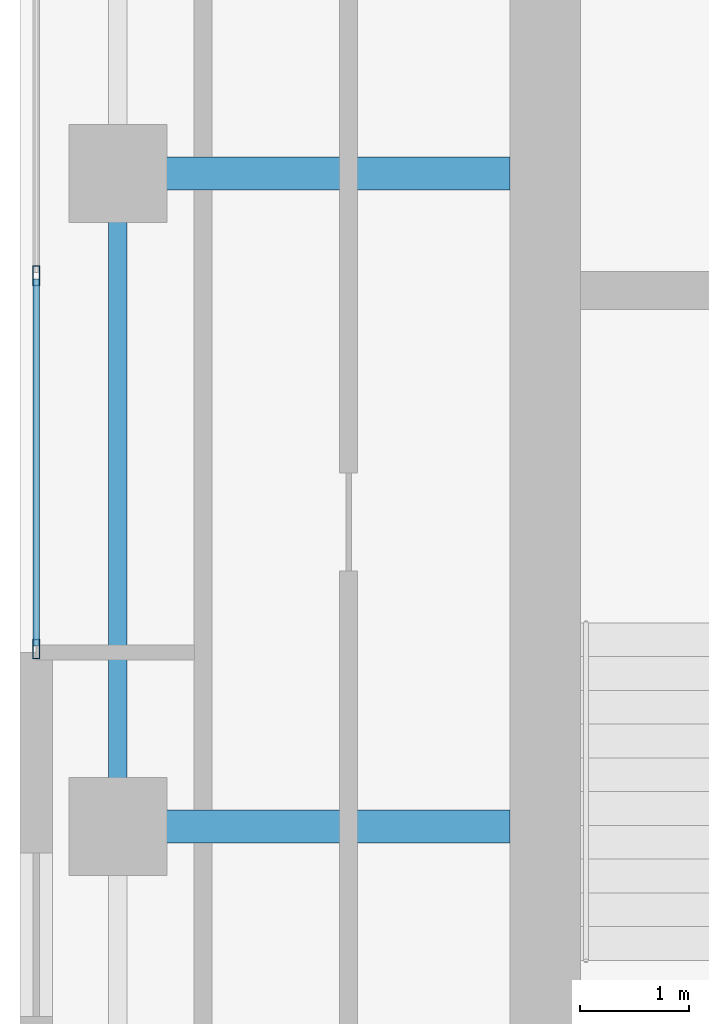
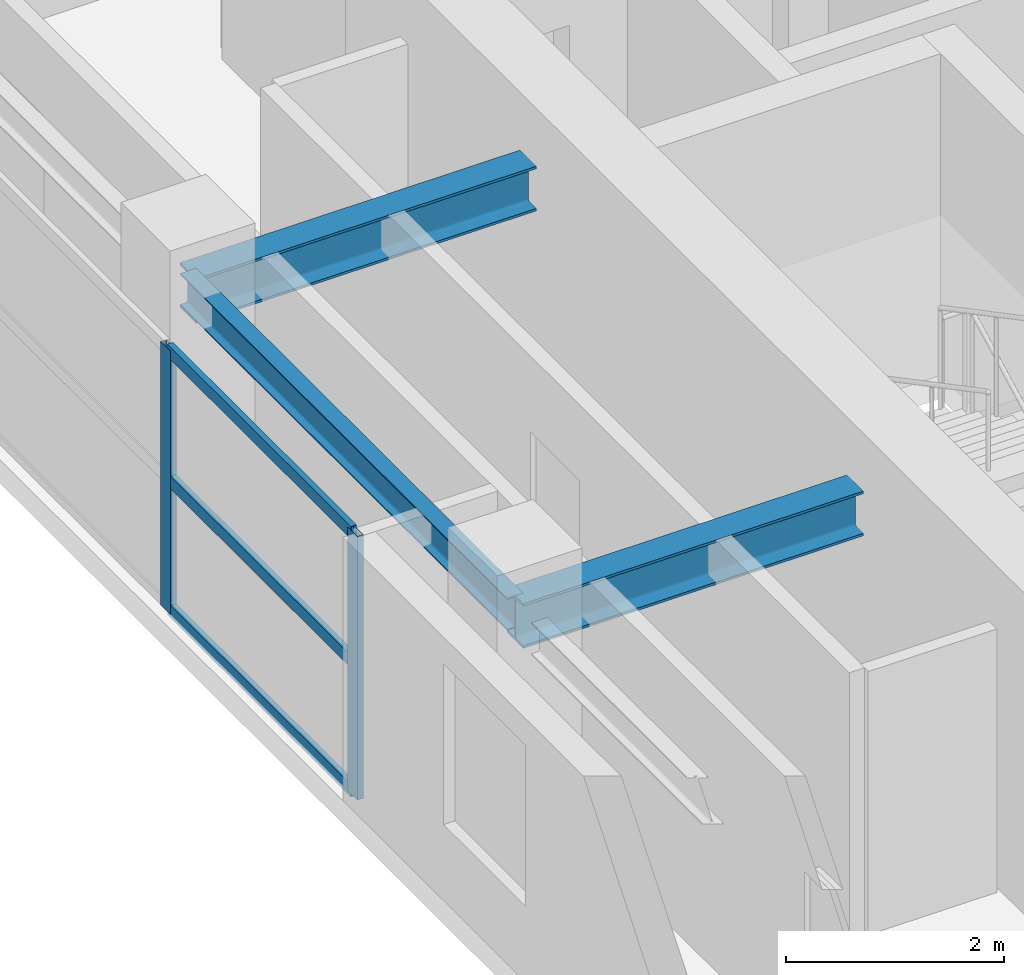
# One storey, part 6 of 21: 5 members, 3 beams, 1 element without a shape of its own.
"""IFC4 building model written with IfcOpenShell, lengths in metres."""

from ifc_helpers import new_model, si_unit, direction, frame, origin, origin_2d, place, context, subcontext, project, spatial, hollow_rectangle, i_section, extrude, source, transform, mapped, material, layer, layer_set, material_profile, profile_set, type_object, element, aggregate, save


model = new_model("IFC4")

# Units and contexts
model_context = context("Model", 3, precision=1e-05, world=origin(), true_north=direction((0.0, 1.0)))
body_context = subcontext(model_context, "Body", "Model", "MODEL_VIEW")
ifc_project = project(units=[si_unit("LENGTHUNIT", "METRE"), si_unit("AREAUNIT", "SQUARE_METRE"), si_unit("VOLUMEUNIT", "CUBIC_METRE"), si_unit("PLANEANGLEUNIT", "RADIAN"), si_unit("MASSUNIT", "GRAM", prefix="KILO")], contexts=[model_context])

# Site, building, storey
site_placement = place(None, origin())
site = spatial("IfcSite", under=ifc_project, at=site_placement, CompositionType="ELEMENT")
building_placement = place(site_placement, origin())
building = spatial("IfcBuilding", under=site, at=building_placement, Name="Khoralis Quay Care Tower", CompositionType="ELEMENT")
storey_placement = place(building_placement, frame((0.0, 0.0, 213.300048828125)))
storey = spatial("IfcBuildingStorey", under=building, at=storey_placement, Name="L56", CompositionType="ELEMENT", Elevation=213.300048828125)

# Beams
ifc_material_1 = material(Name="Steel S355", Category="steel")
ifc_material_profile_1 = material_profile(ifc_material_1, i_section(OverallWidth=0.169921875, OverallDepth=0.360107421875, WebThickness=0.008056640625, FlangeThickness=0.0126953125, FilletRadius=0.01806640625, at=origin_2d()), Name="Steel S355")
ifc_profile_set_1 = profile_set([ifc_material_profile_1], Name="Steel S355")
beam_type_1 = type_object("IfcBeamType", Name="BM-IPE360", PredefinedType="SPANDREL", material=ifc_profile_set_1)
shared_shape_1 = source(origin(), body_context, "Body", "SweptSolid", [
    extrude(i_section(OverallWidth=0.169921875, OverallDepth=0.360107421875, WebThickness=0.008056640625, FlangeThickness=0.0126953125, FilletRadius=0.01806640625, at=origin_2d()), origin(), (0.0, 0.0, 1.0), 6.0),
])
beam_placement = place(storey_placement, frame((3.89990234375, 18.0, 2.77001953125), z_axis=(0.0, 1.0, 0.0), x_axis=(-1.0, 0.0, 0.0)))
element("IfcBeam", 1, at=beam_placement, inside=storey, type_object=beam_type_1, Name="BM-TSP-L56-09", PredefinedType="SPANDREL", context=body_context, shape_type="MappedRepresentation", body=[
    mapped(shared_shape_1, transform((0.0, 0.0, 0.0), scale=1.0)),
])
ifc_material_profile_2 = material_profile(ifc_material_1, i_section(OverallWidth=0.300048828125, OverallDepth=0.5, WebThickness=0.014404296875, FlangeThickness=0.028076171875, FilletRadius=0.027099609375, at=origin_2d()), Name="Steel S355")
ifc_profile_set_2 = profile_set([ifc_material_profile_2], Name="Steel S355")
beam_type_2 = type_object("IfcBeamType", Name="BM-HEB500", PredefinedType="BEAM", material=ifc_profile_set_2)
shared_shape_2 = source(origin(), body_context, "Body", "SweptSolid", [
    extrude(i_section(OverallWidth=0.300048828125, OverallDepth=0.5, WebThickness=0.014404296875, FlangeThickness=0.028076171875, FilletRadius=0.027099609375, at=origin_2d()), origin(), (0.0, 0.0, 1.0), 3.60205078125),
])
for number, where, z_axis, x_axis, name in (
    (2, (3.89990234375, 18.0, 2.699951171875), (1.0, 0.0, 0.0), (0.0, 1.0, 0.0), "BM-TGXW-L56-180"),
    (3, (3.89990234375, 24.0, 2.699951171875), (1.0, 0.0, 0.0), (0.0, 1.0, 0.0), "BM-TGXW-L56-240"),
):
    element("IfcBeam", number, at=place(storey_placement, frame(where, z_axis=z_axis, x_axis=x_axis)), inside=storey, type_object=beam_type_2, Name=name, PredefinedType="BEAM", context=body_context, shape_type="MappedRepresentation", body=[
        mapped(shared_shape_2, transform((0.0, 0.0, 0.0), scale=1.0)),
    ])

# Curtain wall, members
ifc_material_2 = material(Name="Pale anodised aluminium", Category="aluminium")
ifc_layer = layer(ifc_material_2, 0.159912109375)
ifc_layer_set = layer_set([ifc_layer], Name="Pale anodised aluminium")
curtain_wall_type = type_object("IfcCurtainWallType", Name="CW-SYS-Z3", PredefinedType="NOTDEFINED", material=ifc_layer_set)
curtain_wall_placement = place(storey_placement, origin())
curtain_wall = element("IfcCurtainWall", 4, at=curtain_wall_placement, inside=storey, type_object=curtain_wall_type, Name="L56 Unitised Curtain Wall CW-L56-P1-E7", PredefinedType="NOTDEFINED")
ifc_material_profile_3 = material_profile(ifc_material_2, hollow_rectangle(XDim=0.06005859375, YDim=0.139892578125, WallThickness=0.00390625, at=origin_2d()), Name="Pale anodised aluminium")
ifc_profile_set_3 = profile_set([ifc_material_profile_3], Name="Pale anodised aluminium")
member_type_1 = type_object("IfcMemberType", Name="CW-TRN-140", PredefinedType="USERDEFINED", material=ifc_profile_set_3)
shared_shape_3 = source(origin(), body_context, "Body", "SweptSolid", [
    extrude(hollow_rectangle(XDim=0.06005859375, YDim=0.139892578125, WallThickness=0.00390625, at=origin_2d()), origin(), (0.0, 0.0, 1.0), 3.3701171875),
])
member_1_placement = place(storey_placement, frame((3.14990234375, 23.030029296875, 0.030029296875), z_axis=(0.0, -1.0, 0.0), x_axis=(1.0, 0.0, 0.0)))
member_1 = element("IfcMember", 5, at=member_1_placement, type_object=member_type_1, Name="CW3 transom 2.1", ObjectType="TRANSOM", PredefinedType="USERDEFINED", context=body_context, shape_type="MappedRepresentation", body=[
    mapped(shared_shape_3, transform((0.0, 0.0, 0.0), scale=1.0)),
])
member_2_placement = place(storey_placement, frame((3.14990234375, 23.030029296875, 1.474853515625), z_axis=(0.0, -1.0, 0.0), x_axis=(1.0, 0.0, 0.0)))
member_2 = element("IfcMember", 6, at=member_2_placement, type_object=member_type_1, Name="CW3 transom 2.2", ObjectType="TRANSOM", PredefinedType="USERDEFINED", context=body_context, shape_type="MappedRepresentation", body=[
    mapped(shared_shape_3, transform((0.0, 0.0, 0.0), scale=1.0)),
])
member_3_placement = place(storey_placement, frame((3.14990234375, 23.030029296875, 2.919921875), z_axis=(0.0, -1.0, 0.0), x_axis=(1.0, 0.0, 0.0)))
member_3 = element("IfcMember", 7, at=member_3_placement, type_object=member_type_1, Name="CW3 transom 2.3", ObjectType="TRANSOM", PredefinedType="USERDEFINED", context=body_context, shape_type="MappedRepresentation", body=[
    mapped(shared_shape_3, transform((0.0, 0.0, 0.0), scale=1.0)),
])
ifc_material_profile_4 = material_profile(ifc_material_2, hollow_rectangle(XDim=0.06494140625, YDim=0.179931640625, WallThickness=0.00390625, at=origin_2d()), Name="Pale anodised aluminium")
ifc_profile_set_4 = profile_set([ifc_material_profile_4], Name="Pale anodised aluminium")
member_type_2 = type_object("IfcMemberType", Name="CW-MUL-180", PredefinedType="MULLION", material=ifc_profile_set_4)
shared_shape_4 = source(origin(), body_context, "Body", "SweptSolid", [
    extrude(hollow_rectangle(XDim=0.06494140625, YDim=0.179931640625, WallThickness=0.00390625, at=origin_2d()), origin(), (0.0, 0.0, 1.0), 2.949951171875),
])
member_4_placement = place(storey_placement, frame((3.14990234375, 23.06005859375, 0.0), z_axis=(0.0, 0.0, 1.0), x_axis=(1.0, 0.0, 0.0)))
member_4 = element("IfcMember", 8, at=member_4_placement, type_object=member_type_2, Name="CW3 mullion 2", PredefinedType="MULLION", context=body_context, shape_type="MappedRepresentation", body=[
    mapped(shared_shape_4, transform((0.0, 0.0, 0.0), scale=1.0)),
])
member_5_placement = place(storey_placement, frame((3.14990234375, 19.6298828125, 0.0), z_axis=(0.0, 0.0, 1.0), x_axis=(1.0, 0.0, 0.0)))
member_5 = element("IfcMember", 9, at=member_5_placement, type_object=member_type_2, Name="CW3 mullion 3", PredefinedType="MULLION", context=body_context, shape_type="MappedRepresentation", body=[
    mapped(shared_shape_4, transform((0.0, 0.0, 0.0), scale=1.0)),
])
aggregate(curtain_wall, [member_4, member_5, member_1, member_2, member_3])

save(model, "model.ifc")
